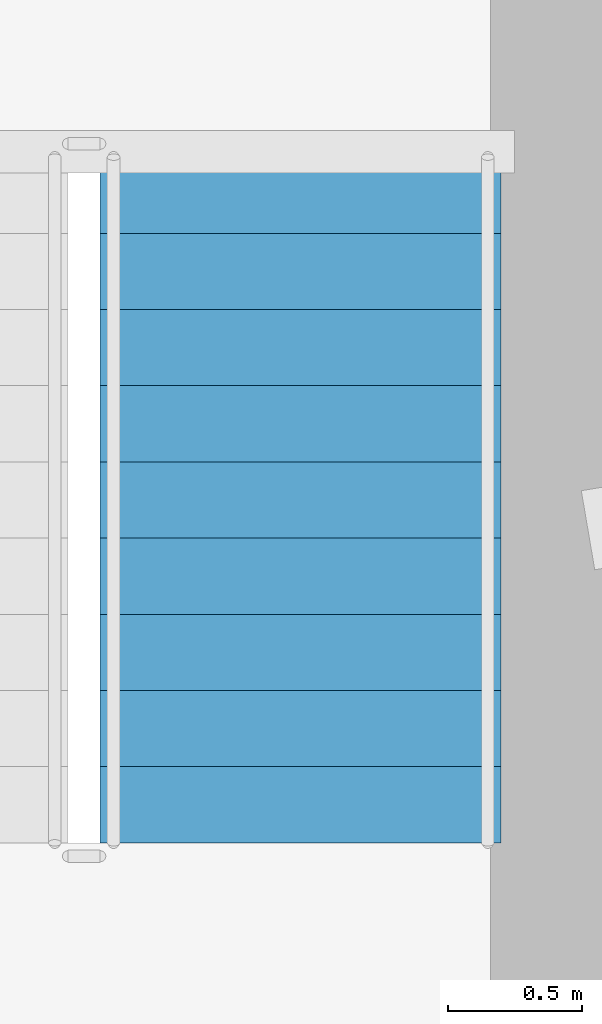
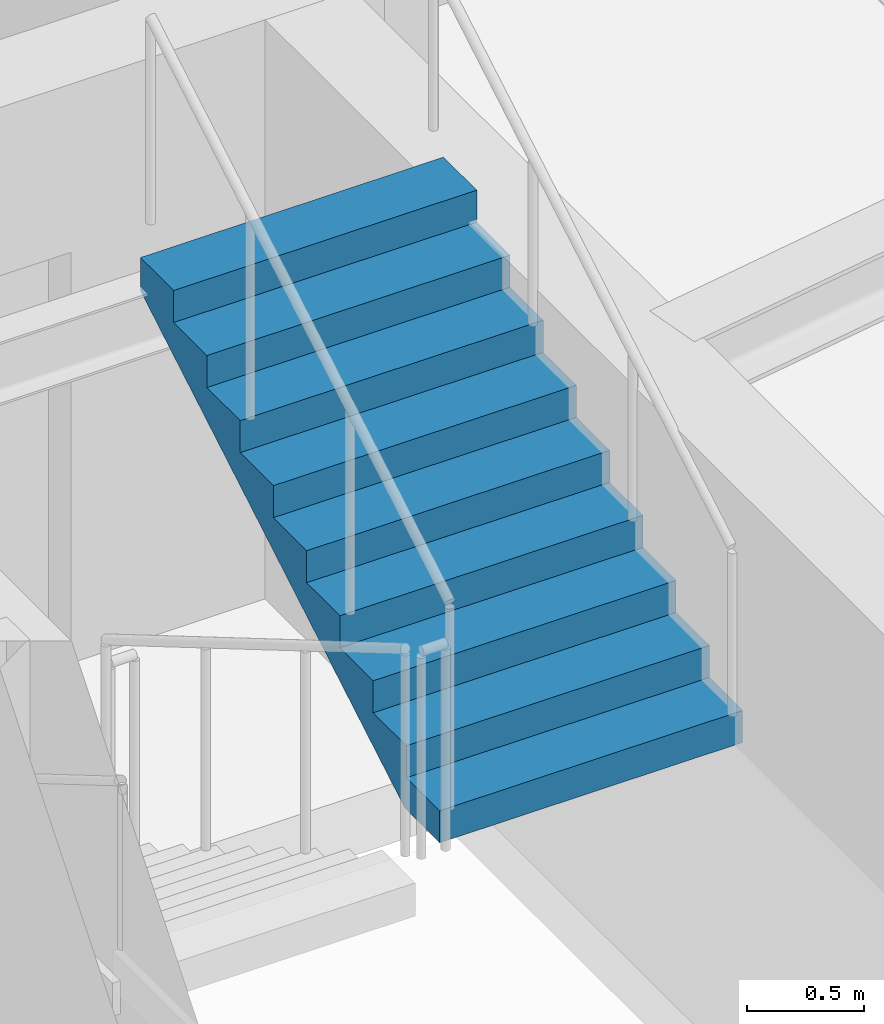
# One storey, part 9 of 11: 1 stair flight, 1 element without a shape of its own.
"""IFC4 building model written with IfcOpenShell, lengths in metres."""

from ifc_helpers import new_model, si_unit, direction, frame, origin, place, context, subcontext, project, spatial, polyline, outline, extrude, material, type_object, element, aggregate, save


model = new_model("IFC4")

# Units and contexts
model_context = context("Model", 3, precision=1e-05, world=origin(), true_north=direction((0.0, 1.0)))
body_context = subcontext(model_context, "Body", "Model", "MODEL_VIEW")
ifc_project = project(units=[si_unit("LENGTHUNIT", "METRE"), si_unit("AREAUNIT", "SQUARE_METRE"), si_unit("VOLUMEUNIT", "CUBIC_METRE"), si_unit("PLANEANGLEUNIT", "RADIAN"), si_unit("MASSUNIT", "GRAM", prefix="KILO")], contexts=[model_context])

# Site, building, storey
site_placement = place(None, origin())
site = spatial("IfcSite", under=ifc_project, at=site_placement, CompositionType="ELEMENT")
building_placement = place(site_placement, origin())
building = spatial("IfcBuilding", under=site, at=building_placement, Name="Qobustan Lattice House", CompositionType="ELEMENT")
storey_placement = place(building_placement, frame((0.0, 0.0, 258.449951171875)))
storey = spatial("IfcBuildingStorey", under=building, at=storey_placement, Name="L73", CompositionType="ELEMENT", Elevation=258.449951171875)

# Stair, stair flight
ifc_material_1 = material(Name="Concrete C40/50", Category="concrete")
stair_type = type_object("IfcStairType", Name="STR-CORE-DOGLEG", PredefinedType="HALF_TURN_STAIR", material=ifc_material_1)
stair_placement = place(storey_placement, origin())
stair = element("IfcStair", 1, at=stair_placement, inside=storey, type_object=stair_type, Name="L73 East protected exit stair ST-E1", PredefinedType="HALF_TURN_STAIR")
ifc_material_2 = material(Name="Concrete C40/50", Category="concrete")
stair_flight_type = type_object("IfcStairFlightType", Name="SFL-RC-1500", PredefinedType="STRAIGHT", material=ifc_material_2)
stair_flight_placement = place(storey_placement, frame((17.5, 0.93505859375, 1.675048828125), z_axis=(0.0, 0.0, 1.0), x_axis=(0.0, 1.0, 0.0)))
stair_flight = element("IfcStairFlight", 2, at=stair_flight_placement, type_object=stair_flight_type, Name="ST-E1 flight 2", NumberOfRisers=10, NumberOfTreads=9, PredefinedType="STRAIGHT", RiserHeight=0.1675, TreadLength=0.285, context=body_context, shape_type="SweptSolid", body=[
    extrude(outline(polyline([(0.0, 0.0), (0.0, 0.16748046875), (0.284912109375, 0.16748046875), (0.284912109375, 0.3349609375), (0.570068359375, 0.3349609375), (0.570068359375, 0.50244140625), (0.85498046875, 0.50244140625), (0.85498046875, 0.669921875), (1.139892578125, 0.669921875), (1.139892578125, 0.83740234375), (1.425048828125, 0.83740234375), (1.425048828125, 1.0048828125), (1.7099609375, 1.0048828125), (1.7099609375, 1.172607421875), (1.9951171875, 1.172607421875), (1.9951171875, 1.340087890625), (2.280029296875, 1.340087890625), (2.280029296875, 1.507568359375), (2.56494140625, 1.507568359375), (2.56494140625, 1.675048828125), (2.56494140625, 1.333740234375), (0.2958984375, 0.0), (0.0, 0.0)])), frame((0.0, 0.75, 0.0), z_axis=(0.0, -1.0, 0.0), x_axis=(1.0, 0.0, 0.0)), (0.0, 0.0, 1.0), 1.5),
])
aggregate(stair, [stair_flight])

save(model, "model.ifc")
